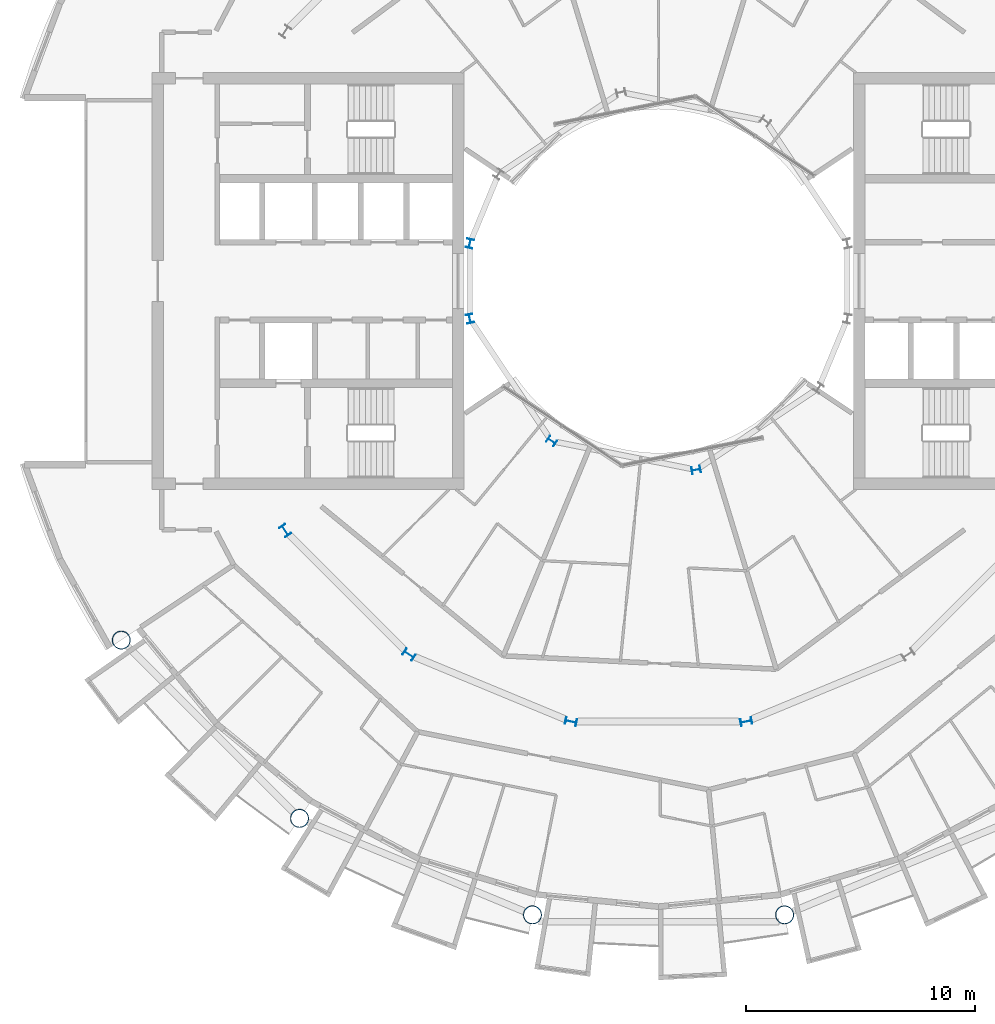
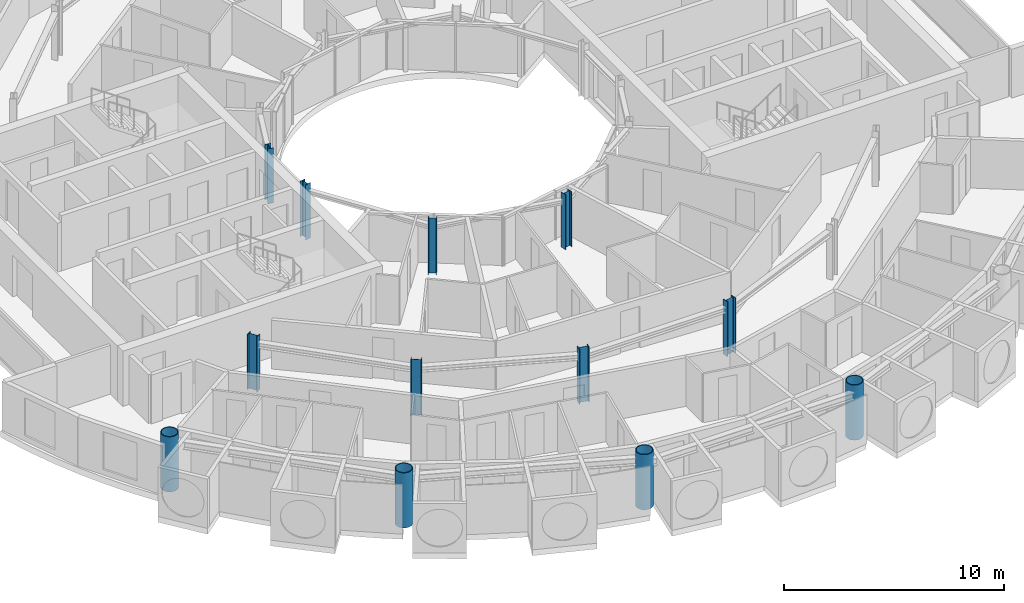
# One storey, part 1 of 27: 12 columns.
"""IFC4 building model written with IfcOpenShell, lengths in metres."""

from ifc_helpers import new_model, si_unit, direction, frame, origin, origin_2d, place, context, subcontext, project, spatial, hollow_circle, i_section, extrude, material, material_profile, profile_set, type_object, element, save


model = new_model("IFC4")

# Units and contexts
model_context = context("Model", 3, precision=1e-05, world=origin(), true_north=direction((0.0, 1.0)))
body_context = subcontext(model_context, "Body", "Model", "MODEL_VIEW")
ifc_project = project(units=[si_unit("LENGTHUNIT", "METRE"), si_unit("AREAUNIT", "SQUARE_METRE"), si_unit("VOLUMEUNIT", "CUBIC_METRE"), si_unit("PLANEANGLEUNIT", "RADIAN"), si_unit("MASSUNIT", "GRAM", prefix="KILO")], contexts=[model_context])

# Site, building, storey
site_placement = place(None, origin())
site = spatial("IfcSite", under=ifc_project, at=site_placement, CompositionType="ELEMENT")
building_placement = place(site_placement, origin())
building = spatial("IfcBuilding", under=site, at=building_placement, Name="Maasbend Ring Residences", CompositionType="ELEMENT")
storey_placement = place(building_placement, frame((0.0, 0.0, 151.300048828125)))
storey = spatial("IfcBuildingStorey", under=building, at=storey_placement, Name="L43", CompositionType="ELEMENT", Elevation=151.300048828125)

# Columns
ifc_material_1 = material(Name="Composite concrete-filled steel tube S460NH / C80/95", Category="concrete")
ifc_material_profile_1 = material_profile(ifc_material_1, hollow_circle(Radius=0.406494140625, WallThickness=0.0400390625, at=origin_2d()), Name="Composite tube column CHS 813x40")
ifc_profile_set_1 = profile_set([ifc_material_profile_1], Name="Composite concrete-filled steel tube S460NH / C80/95")
column_type_1 = type_object("IfcColumnType", Name="Composite tube column CHS 813x40", PredefinedType="COLUMN", material=ifc_profile_set_1)
for number, where, z_axis, x_axis, name in (
    (1, (-23.447509765625, -15.6669921875, 0.0), (0.0, 0.0, 1.0), (1.0, 0.0, 0.0), "Outer column R10"),
    (2, (-15.6669921875, -23.447509765625, 0.0), (0.0, 0.0, 1.0), (1.0, 0.0, 0.0), "Outer column R11"),
    (3, (-5.50146484375, -27.658203125, 0.0), (0.0, 0.0, 1.0), (1.0, 0.0, 0.0), "Outer column R12"),
    (4, (5.50146484375, -27.658203125, 0.0), (0.0, 0.0, 1.0), (1.0, 0.0, 0.0), "Outer column R13"),
):
    element("IfcColumn", number, at=place(storey_placement, frame(where, z_axis=z_axis, x_axis=x_axis)), inside=storey, type_object=column_type_1, Name=name, PredefinedType="COLUMN", context=body_context, shape_type="SweptSolid", body=[
        extrude(hollow_circle(Radius=0.406494140625, WallThickness=0.0400390625, at=origin_2d()), origin(), (0.0, 0.0, 1.0), 3.050048828125),
    ])
ifc_material_2 = material(Name="Steel S355J2", Category="steel")
ifc_material_profile_2 = material_profile(ifc_material_2, i_section(OverallWidth=0.300048828125, OverallDepth=0.389892578125, WebThickness=0.010986328125, FlangeThickness=0.01904296875, FilletRadius=0.027099609375, at=origin_2d()), Name="HEA 400")
ifc_profile_set_2 = profile_set([ifc_material_profile_2], Name="Steel S355J2")
column_type_2 = type_object("IfcColumnType", Name="Steel column HEA 400", PredefinedType="COLUMN", material=ifc_profile_set_2)
for number, where, z_axis, x_axis, name in (
    (5, (-8.238525390625, 1.638916015625, 0.0), (0.0, 0.0, 1.0), (-0.980785280403, 0.195090322016, 0.0), "Well ring column R8"),
    (6, (-8.238525390625, -1.638916015625, 0.0), (0.0, 0.0, 1.0), (-0.980785280403, -0.195090322016, 0.0), "Well ring column R9"),
    (7, (-4.666748046875, -6.984375, 0.0), (0.0, 0.0, 1.0), (-0.55557023302, -0.831469612303, 0.0), "Well ring column R11"),
    (8, (1.638916015625, -8.238525390625, 0.0), (0.0, 0.0, 1.0), (0.195090322016, -0.980785280403, 0.0), "Well ring column R13"),
):
    element("IfcColumn", number, at=place(storey_placement, frame(where, z_axis=z_axis, x_axis=x_axis)), inside=storey, type_object=column_type_2, Name=name, PredefinedType="COLUMN", context=body_context, shape_type="SweptSolid", body=[
        extrude(i_section(OverallWidth=0.300048828125, OverallDepth=0.389892578125, WebThickness=0.010986328125, FlangeThickness=0.01904296875, FilletRadius=0.027099609375, at=origin_2d()), origin(), (0.0, 0.0, 1.0), 3.050048828125),
    ])
ifc_material_3 = material(Name="Steel S355J2", Category="steel")
ifc_material_profile_3 = material_profile(ifc_material_3, i_section(OverallWidth=0.300048828125, OverallDepth=0.5, WebThickness=0.014404296875, FlangeThickness=0.028076171875, FilletRadius=0.027099609375, at=origin_2d()), Name="HEB 500")
ifc_profile_set_3 = profile_set([ifc_material_profile_3], Name="Steel S355J2")
column_type_3 = type_object("IfcColumnType", Name="Steel column HEB 500", PredefinedType="COLUMN", material=ifc_profile_set_3)
for number, where, z_axis, x_axis, name in (
    (9, (-16.296875, -10.88916015625, 0.0), (0.0, 0.0, 1.0), (-0.831469612303, -0.55557023302, 0.0), "Corridor ring column R10"),
    (10, (-10.88916015625, -16.296875, 0.0), (0.0, 0.0, 1.0), (-0.55557023302, -0.831469612303, 0.0), "Corridor ring column R11"),
    (11, (-3.82373046875, -19.223388671875, 0.0), (0.0, 0.0, 1.0), (-0.195090322016, -0.980785280403, 0.0), "Corridor ring column R12"),
    (12, (3.82373046875, -19.223388671875, 0.0), (0.0, 0.0, 1.0), (0.195090322016, -0.980785280403, 0.0), "Corridor ring column R13"),
):
    element("IfcColumn", number, at=place(storey_placement, frame(where, z_axis=z_axis, x_axis=x_axis)), inside=storey, type_object=column_type_3, Name=name, PredefinedType="COLUMN", context=body_context, shape_type="SweptSolid", body=[
        extrude(i_section(OverallWidth=0.300048828125, OverallDepth=0.5, WebThickness=0.014404296875, FlangeThickness=0.028076171875, FilletRadius=0.027099609375, at=origin_2d()), origin(), (0.0, 0.0, 1.0), 3.050048828125),
    ])

save(model, "model.ifc")
